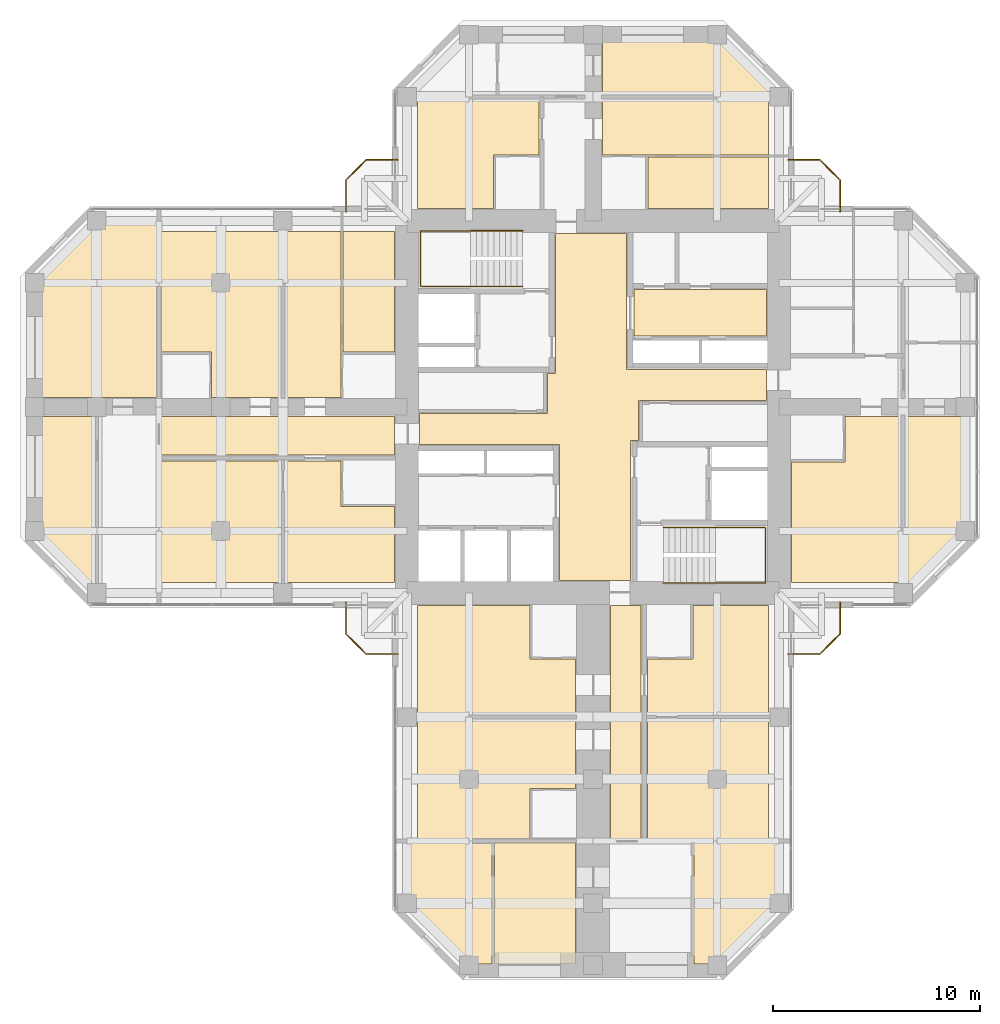
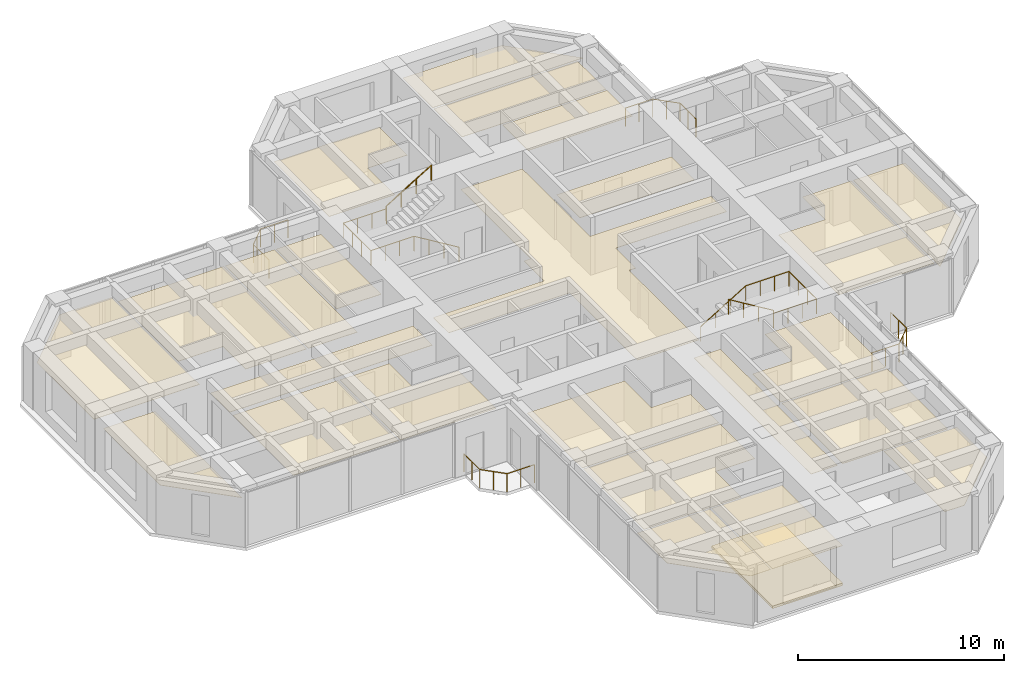
# One storey, part 14 of 14: 25 coverings, 8 railings.
"""IFC4 building model written with IfcOpenShell, lengths in metres."""

from ifc_helpers import new_model, si_unit, direction, frame, origin, origin_2d, place, context, subcontext, project, spatial, polyline, circle, outline, extrude, material, layer, layer_set, constituent, constituent_set, type_object, element, save


model = new_model("IFC4")

# Units and contexts
model_context = context("Model", 3, precision=1e-05, world=origin(), true_north=direction((0.0, 1.0)))
body_context = subcontext(model_context, "Body", "Model", "MODEL_VIEW")
ifc_project = project(units=[si_unit("LENGTHUNIT", "METRE"), si_unit("AREAUNIT", "SQUARE_METRE"), si_unit("VOLUMEUNIT", "CUBIC_METRE"), si_unit("PLANEANGLEUNIT", "RADIAN"), si_unit("MASSUNIT", "GRAM", prefix="KILO")], contexts=[model_context])

# Site, building, storey
site_placement = place(None, origin())
site = spatial("IfcSite", under=ifc_project, at=site_placement, CompositionType="ELEMENT")
building_placement = place(site_placement, origin())
building = spatial("IfcBuilding", under=site, at=building_placement, Name="Torre Cruceta", CompositionType="ELEMENT")
storey_placement = place(building_placement, frame((0.0, 0.0, 200.10009765625)))
storey = spatial("IfcBuildingStorey", under=building, at=storey_placement, Name="L50", CompositionType="ELEMENT", Elevation=200.10009765625)

# Railings
ifc_material_1 = material(Name="Stainless steel 1.4401", Category="steel")
ifc_constituent_1 = constituent(ifc_material_1, Name="Frame")
ifc_material_2 = material(Name="Laminated safety glass", Category="glass")
ifc_constituent_2 = constituent(ifc_material_2, Name="Infill")
ifc_constituent_set_1 = constituent_set(constituents=[ifc_constituent_1, ifc_constituent_2], Name="Stainless steel and laminated glass balustrade")
railing_type_1 = type_object("IfcRailingType", Name="BALCONY BALUSTRADE 1100", PredefinedType="BALUSTRADE", material=ifc_constituent_set_1)
railing_1_placement = place(storey_placement, frame((-9.449951171875, 11.949951171875, 0.0)))
element("IfcRailing", 1, at=railing_1_placement, inside=storey, type_object=railing_type_1, Name="BL1 balcony balustrade L50 N", PredefinedType="BALUSTRADE", context=body_context, shape_type="SweptSolid", body=[
    extrude(circle(Radius=0.02392578125, at=origin_2d()), frame((0.0, 0.0, 1.076171875), z_axis=(-1.0, 0.0, 0.0), x_axis=(0.0, -1.0, 0.0)), (0.0, 0.0, 1.0), 1.529296875),
    extrude(circle(Radius=0.02392578125, at=origin_2d()), frame((-1.529296875, 0.0, 1.076171875), z_axis=(-0.707106781187, -0.707106781187, 0.0), x_axis=(0.707106781187, -0.707106781187, 0.0)), (0.0, 0.0, 1.0), 1.372802734375),
    extrude(circle(Radius=0.02392578125, at=origin_2d()), frame((-2.5, -0.970703125, 1.076171875), z_axis=(0.0, -1.0, 0.0), x_axis=(1.0, 0.0, 0.0)), (0.0, 0.0, 1.0), 1.529296875),
    extrude(circle(Radius=0.02099609375, at=origin_2d()), origin(), (0.0, 0.0, 1.0), 1.052001953125),
    extrude(circle(Radius=0.02099609375, at=origin_2d()), frame((-0.7646484375, 0.0, 0.0)), (0.0, 0.0, 1.0), 1.052001953125),
    extrude(circle(Radius=0.02099609375, at=origin_2d()), frame((-1.529296875, 0.0, 0.0)), (0.0, 0.0, 1.0), 1.052001953125),
    extrude(circle(Radius=0.02099609375, at=origin_2d()), frame((-2.0146484375, -0.4853515625, 0.0)), (0.0, 0.0, 1.0), 1.052001953125),
    extrude(circle(Radius=0.02099609375, at=origin_2d()), frame((-2.5, -0.970703125, 0.0)), (0.0, 0.0, 1.0), 1.052001953125),
    extrude(circle(Radius=0.02099609375, at=origin_2d()), frame((-2.5, -1.7353515625, 0.0)), (0.0, 0.0, 1.0), 1.052001953125),
    extrude(circle(Radius=0.02099609375, at=origin_2d()), frame((-2.5, -2.5, 0.0)), (0.0, 0.0, 1.0), 1.052001953125),
])
railing_2_placement = place(storey_placement, frame((9.449951171875, 11.949951171875, 0.0)))
element("IfcRailing", 2, at=railing_2_placement, inside=storey, type_object=railing_type_1, Name="BL1 balcony balustrade L50 E", PredefinedType="BALUSTRADE", context=body_context, shape_type="SweptSolid", body=[
    extrude(circle(Radius=0.02392578125, at=origin_2d()), frame((0.0, 0.0, 1.076171875), z_axis=(1.0, 0.0, 0.0), x_axis=(0.0, 1.0, 0.0)), (0.0, 0.0, 1.0), 1.529296875),
    extrude(circle(Radius=0.02392578125, at=origin_2d()), frame((1.529296875, 0.0, 1.076171875), z_axis=(0.707106781187, -0.707106781187, 0.0), x_axis=(0.707106781187, 0.707106781187, 0.0)), (0.0, 0.0, 1.0), 1.372802734375),
    extrude(circle(Radius=0.02392578125, at=origin_2d()), frame((2.5, -0.970703125, 1.076171875), z_axis=(0.0, -1.0, 0.0), x_axis=(1.0, 0.0, 0.0)), (0.0, 0.0, 1.0), 1.529296875),
    extrude(circle(Radius=0.02099609375, at=origin_2d()), origin(), (0.0, 0.0, 1.0), 1.052001953125),
    extrude(circle(Radius=0.02099609375, at=origin_2d()), frame((0.7646484375, 0.0, 0.0)), (0.0, 0.0, 1.0), 1.052001953125),
    extrude(circle(Radius=0.02099609375, at=origin_2d()), frame((1.529296875, 0.0, 0.0)), (0.0, 0.0, 1.0), 1.052001953125),
    extrude(circle(Radius=0.02099609375, at=origin_2d()), frame((2.0146484375, -0.4853515625, 0.0)), (0.0, 0.0, 1.0), 1.052001953125),
    extrude(circle(Radius=0.02099609375, at=origin_2d()), frame((2.5, -0.970703125, 0.0)), (0.0, 0.0, 1.0), 1.052001953125),
    extrude(circle(Radius=0.02099609375, at=origin_2d()), frame((2.5, -1.7353515625, 0.0)), (0.0, 0.0, 1.0), 1.052001953125),
    extrude(circle(Radius=0.02099609375, at=origin_2d()), frame((2.5, -2.5, 0.0)), (0.0, 0.0, 1.0), 1.052001953125),
])
railing_3_placement = place(storey_placement, frame((9.449951171875, -11.949951171875, 0.0)))
element("IfcRailing", 3, at=railing_3_placement, inside=storey, type_object=railing_type_1, Name="BL1 balcony balustrade L50 S", PredefinedType="BALUSTRADE", context=body_context, shape_type="SweptSolid", body=[
    extrude(circle(Radius=0.02392578125, at=origin_2d()), frame((0.0, 0.0, 1.076171875), z_axis=(1.0, 0.0, 0.0), x_axis=(0.0, 1.0, 0.0)), (0.0, 0.0, 1.0), 1.529296875),
    extrude(circle(Radius=0.02392578125, at=origin_2d()), frame((1.529296875, 0.0, 1.076171875), z_axis=(0.707106781187, 0.707106781187, 0.0), x_axis=(-0.707106781187, 0.707106781187, 0.0)), (0.0, 0.0, 1.0), 1.372802734375),
    extrude(circle(Radius=0.02392578125, at=origin_2d()), frame((2.5, 0.970703125, 1.076171875), z_axis=(0.0, 1.0, 0.0), x_axis=(-1.0, 0.0, 0.0)), (0.0, 0.0, 1.0), 1.529296875),
    extrude(circle(Radius=0.02099609375, at=origin_2d()), origin(), (0.0, 0.0, 1.0), 1.052001953125),
    extrude(circle(Radius=0.02099609375, at=origin_2d()), frame((0.7646484375, 0.0, 0.0)), (0.0, 0.0, 1.0), 1.052001953125),
    extrude(circle(Radius=0.02099609375, at=origin_2d()), frame((1.529296875, 0.0, 0.0)), (0.0, 0.0, 1.0), 1.052001953125),
    extrude(circle(Radius=0.02099609375, at=origin_2d()), frame((2.0146484375, 0.4853515625, 0.0)), (0.0, 0.0, 1.0), 1.052001953125),
    extrude(circle(Radius=0.02099609375, at=origin_2d()), frame((2.5, 0.970703125, 0.0)), (0.0, 0.0, 1.0), 1.052001953125),
    extrude(circle(Radius=0.02099609375, at=origin_2d()), frame((2.5, 1.7353515625, 0.0)), (0.0, 0.0, 1.0), 1.052001953125),
    extrude(circle(Radius=0.02099609375, at=origin_2d()), frame((2.5, 2.5, 0.0)), (0.0, 0.0, 1.0), 1.052001953125),
])
railing_4_placement = place(storey_placement, frame((-9.449951171875, -11.949951171875, 0.0)))
element("IfcRailing", 4, at=railing_4_placement, inside=storey, type_object=railing_type_1, Name="BL1 balcony balustrade L50 W", PredefinedType="BALUSTRADE", context=body_context, shape_type="SweptSolid", body=[
    extrude(circle(Radius=0.02392578125, at=origin_2d()), frame((0.0, 0.0, 1.076171875), z_axis=(-1.0, 0.0, 0.0), x_axis=(0.0, -1.0, 0.0)), (0.0, 0.0, 1.0), 1.529296875),
    extrude(circle(Radius=0.02392578125, at=origin_2d()), frame((-1.529296875, 0.0, 1.076171875), z_axis=(-0.707106781187, 0.707106781187, 0.0), x_axis=(-0.707106781187, -0.707106781187, 0.0)), (0.0, 0.0, 1.0), 1.372802734375),
    extrude(circle(Radius=0.02392578125, at=origin_2d()), frame((-2.5, 0.970703125, 1.076171875), z_axis=(0.0, 1.0, 0.0), x_axis=(-1.0, 0.0, 0.0)), (0.0, 0.0, 1.0), 1.529296875),
    extrude(circle(Radius=0.02099609375, at=origin_2d()), origin(), (0.0, 0.0, 1.0), 1.052001953125),
    extrude(circle(Radius=0.02099609375, at=origin_2d()), frame((-0.7646484375, 0.0, 0.0)), (0.0, 0.0, 1.0), 1.052001953125),
    extrude(circle(Radius=0.02099609375, at=origin_2d()), frame((-1.529296875, 0.0, 0.0)), (0.0, 0.0, 1.0), 1.052001953125),
    extrude(circle(Radius=0.02099609375, at=origin_2d()), frame((-2.0146484375, 0.4853515625, 0.0)), (0.0, 0.0, 1.0), 1.052001953125),
    extrude(circle(Radius=0.02099609375, at=origin_2d()), frame((-2.5, 0.970703125, 0.0)), (0.0, 0.0, 1.0), 1.052001953125),
    extrude(circle(Radius=0.02099609375, at=origin_2d()), frame((-2.5, 1.7353515625, 0.0)), (0.0, 0.0, 1.0), 1.052001953125),
    extrude(circle(Radius=0.02099609375, at=origin_2d()), frame((-2.5, 2.5, 0.0)), (0.0, 0.0, 1.0), 1.052001953125),
])
ifc_material_3 = material(Name="Stainless steel 1.4401", Category="steel")
railing_type_2 = type_object("IfcRailingType", Name="HANDRAIL 900", PredefinedType="HANDRAIL", material=ifc_material_3)
railing_5_placement = place(storey_placement, frame((-3.39990234375, 5.8349609375, 0.169921875)))
element("IfcRailing", 5, at=railing_5_placement, inside=storey, type_object=railing_type_2, Name="Handrail HR1 ST1 L50", PredefinedType="HANDRAIL", context=body_context, shape_type="SweptSolid", body=[
    extrude(circle(Radius=0.02392578125, at=origin_2d()), frame((0.0, 0.0, 0.8759765625), z_axis=(-0.85478489116, 0.0, 0.518982456201), x_axis=(0.0, -1.0, 0.0)), (0.0, 0.0, 1.0), 2.9482421875),
    extrude(circle(Radius=0.02392578125, at=origin_2d()), frame((-2.52001953125, 0.0, 2.40576171875), z_axis=(-1.0, 0.0, 0.0), x_axis=(0.0, -1.0, 0.0)), (0.0, 0.0, 1.0), 2.420166015625),
    extrude(circle(Radius=0.02392578125, at=origin_2d()), frame((-4.940185546875, 0.0, 2.40576171875), z_axis=(0.0, 1.0, 0.0), x_axis=(-1.0, 0.0, 0.0)), (0.0, 0.0, 1.0), 2.679931640625),
    extrude(circle(Radius=0.02392578125, at=origin_2d()), frame((-4.940185546875, 2.679931640625, 2.40576171875), z_axis=(1.0, 0.0, 0.0), x_axis=(0.0, 1.0, 0.0)), (0.0, 0.0, 1.0), 2.420166015625),
    extrude(circle(Radius=0.02099609375, at=origin_2d()), origin(), (0.0, 0.0, 1.0), 0.851806640625),
    extrude(circle(Radius=0.02099609375, at=origin_2d()), frame((-0.840087890625, 0.0, 0.510009765625)), (0.0, 0.0, 1.0), 0.851806640625),
    extrude(circle(Radius=0.02099609375, at=origin_2d()), frame((-1.679931640625, 0.0, 1.02001953125)), (0.0, 0.0, 1.0), 0.851806640625),
    extrude(circle(Radius=0.02099609375, at=origin_2d()), frame((-2.52001953125, 0.0, 1.530029296875)), (0.0, 0.0, 1.0), 0.851806640625),
    extrude(circle(Radius=0.02099609375, at=origin_2d()), frame((-3.32666015625, 0.0, 1.530029296875)), (0.0, 0.0, 1.0), 0.851806640625),
    extrude(circle(Radius=0.02099609375, at=origin_2d()), frame((-4.133544921875, 0.0, 1.530029296875)), (0.0, 0.0, 1.0), 0.851806640625),
    extrude(circle(Radius=0.02099609375, at=origin_2d()), frame((-4.940185546875, 0.0, 1.530029296875)), (0.0, 0.0, 1.0), 0.851806640625),
    extrude(circle(Radius=0.02099609375, at=origin_2d()), frame((-4.940185546875, 0.893310546875, 1.530029296875)), (0.0, 0.0, 1.0), 0.851806640625),
    extrude(circle(Radius=0.02099609375, at=origin_2d()), frame((-4.940185546875, 1.78662109375, 1.530029296875)), (0.0, 0.0, 1.0), 0.851806640625),
    extrude(circle(Radius=0.02099609375, at=origin_2d()), frame((-4.940185546875, 2.679931640625, 1.530029296875)), (0.0, 0.0, 1.0), 0.851806640625),
    extrude(circle(Radius=0.02099609375, at=origin_2d()), frame((-4.133544921875, 2.679931640625, 1.530029296875)), (0.0, 0.0, 1.0), 0.851806640625),
    extrude(circle(Radius=0.02099609375, at=origin_2d()), frame((-3.32666015625, 2.679931640625, 1.530029296875)), (0.0, 0.0, 1.0), 0.851806640625),
    extrude(circle(Radius=0.02099609375, at=origin_2d()), frame((-2.52001953125, 2.679931640625, 1.530029296875)), (0.0, 0.0, 1.0), 0.851806640625),
])
railing_6_placement = place(storey_placement, frame((-5.919921875, 8.514892578125, 1.869873046875)))
element("IfcRailing", 6, at=railing_6_placement, inside=storey, type_object=railing_type_2, Name="Handrail HR1 ST1 L50", PredefinedType="HANDRAIL", context=body_context, shape_type="SweptSolid", body=[
    extrude(circle(Radius=0.02392578125, at=origin_2d()), frame((0.0, 0.0, 0.8759765625), z_axis=(0.85478489116, 0.0, 0.518982456201), x_axis=(0.0, 1.0, 0.0)), (0.0, 0.0, 1.0), 2.9482421875),
    extrude(circle(Radius=0.02099609375, at=origin_2d()), origin(), (0.0, 0.0, 1.0), 0.851806640625),
    extrude(circle(Radius=0.02099609375, at=origin_2d()), frame((0.840087890625, 0.0, 0.510009765625)), (0.0, 0.0, 1.0), 0.851806640625),
    extrude(circle(Radius=0.02099609375, at=origin_2d()), frame((1.679931640625, 0.0, 1.02001953125)), (0.0, 0.0, 1.0), 0.851806640625),
    extrude(circle(Radius=0.02099609375, at=origin_2d()), frame((2.52001953125, 0.0, 1.530029296875)), (0.0, 0.0, 1.0), 0.851806640625),
])
railing_7_placement = place(storey_placement, frame((3.39990234375, -5.8349609375, 0.169921875)))
element("IfcRailing", 7, at=railing_7_placement, inside=storey, type_object=railing_type_2, Name="Handrail HR1 ST2 L50", PredefinedType="HANDRAIL", context=body_context, shape_type="SweptSolid", body=[
    extrude(circle(Radius=0.02392578125, at=origin_2d()), frame((0.0, 0.0, 0.8759765625), z_axis=(0.85478489116, 0.0, 0.518982456201), x_axis=(0.0, 1.0, 0.0)), (0.0, 0.0, 1.0), 2.9482421875),
    extrude(circle(Radius=0.02392578125, at=origin_2d()), frame((2.52001953125, 0.0, 2.40576171875), z_axis=(1.0, 0.0, 0.0), x_axis=(0.0, 1.0, 0.0)), (0.0, 0.0, 1.0), 2.420166015625),
    extrude(circle(Radius=0.02392578125, at=origin_2d()), frame((4.940185546875, 0.0, 2.40576171875), z_axis=(0.0, -1.0, 0.0), x_axis=(1.0, 0.0, 0.0)), (0.0, 0.0, 1.0), 2.679931640625),
    extrude(circle(Radius=0.02392578125, at=origin_2d()), frame((4.940185546875, -2.679931640625, 2.40576171875), z_axis=(-1.0, 0.0, 0.0), x_axis=(0.0, -1.0, 0.0)), (0.0, 0.0, 1.0), 2.420166015625),
    extrude(circle(Radius=0.02099609375, at=origin_2d()), origin(), (0.0, 0.0, 1.0), 0.851806640625),
    extrude(circle(Radius=0.02099609375, at=origin_2d()), frame((0.840087890625, 0.0, 0.510009765625)), (0.0, 0.0, 1.0), 0.851806640625),
    extrude(circle(Radius=0.02099609375, at=origin_2d()), frame((1.679931640625, 0.0, 1.02001953125)), (0.0, 0.0, 1.0), 0.851806640625),
    extrude(circle(Radius=0.02099609375, at=origin_2d()), frame((2.52001953125, 0.0, 1.530029296875)), (0.0, 0.0, 1.0), 0.851806640625),
    extrude(circle(Radius=0.02099609375, at=origin_2d()), frame((3.32666015625, 0.0, 1.530029296875)), (0.0, 0.0, 1.0), 0.851806640625),
    extrude(circle(Radius=0.02099609375, at=origin_2d()), frame((4.133544921875, 0.0, 1.530029296875)), (0.0, 0.0, 1.0), 0.851806640625),
    extrude(circle(Radius=0.02099609375, at=origin_2d()), frame((4.940185546875, 0.0, 1.530029296875)), (0.0, 0.0, 1.0), 0.851806640625),
    extrude(circle(Radius=0.02099609375, at=origin_2d()), frame((4.940185546875, -0.893310546875, 1.530029296875)), (0.0, 0.0, 1.0), 0.851806640625),
    extrude(circle(Radius=0.02099609375, at=origin_2d()), frame((4.940185546875, -1.78662109375, 1.530029296875)), (0.0, 0.0, 1.0), 0.851806640625),
    extrude(circle(Radius=0.02099609375, at=origin_2d()), frame((4.940185546875, -2.679931640625, 1.530029296875)), (0.0, 0.0, 1.0), 0.851806640625),
    extrude(circle(Radius=0.02099609375, at=origin_2d()), frame((4.133544921875, -2.679931640625, 1.530029296875)), (0.0, 0.0, 1.0), 0.851806640625),
    extrude(circle(Radius=0.02099609375, at=origin_2d()), frame((3.32666015625, -2.679931640625, 1.530029296875)), (0.0, 0.0, 1.0), 0.851806640625),
    extrude(circle(Radius=0.02099609375, at=origin_2d()), frame((2.52001953125, -2.679931640625, 1.530029296875)), (0.0, 0.0, 1.0), 0.851806640625),
])
railing_8_placement = place(storey_placement, frame((5.919921875, -8.514892578125, 1.869873046875)))
element("IfcRailing", 8, at=railing_8_placement, inside=storey, type_object=railing_type_2, Name="Handrail HR1 ST2 L50", PredefinedType="HANDRAIL", context=body_context, shape_type="SweptSolid", body=[
    extrude(circle(Radius=0.02392578125, at=origin_2d()), frame((0.0, 0.0, 0.8759765625), z_axis=(-0.85478489116, 0.0, 0.518982456201), x_axis=(0.0, -1.0, 0.0)), (0.0, 0.0, 1.0), 2.9482421875),
    extrude(circle(Radius=0.02099609375, at=origin_2d()), origin(), (0.0, 0.0, 1.0), 0.851806640625),
    extrude(circle(Radius=0.02099609375, at=origin_2d()), frame((-0.840087890625, 0.0, 0.510009765625)), (0.0, 0.0, 1.0), 0.851806640625),
    extrude(circle(Radius=0.02099609375, at=origin_2d()), frame((-1.679931640625, 0.0, 1.02001953125)), (0.0, 0.0, 1.0), 0.851806640625),
    extrude(circle(Radius=0.02099609375, at=origin_2d()), frame((-2.52001953125, 0.0, 1.530029296875)), (0.0, 0.0, 1.0), 0.851806640625),
])

# Coverings
ifc_material_4 = material(Name="Steel DX51D", Category="steel")
ifc_constituent_3 = constituent(ifc_material_4, Name="Panel casing")
ifc_material_5 = material(Name="Calcium sulphate", Category="gypsum")
ifc_constituent_4 = constituent(ifc_material_5, Name="Panel core")
ifc_constituent_set_2 = constituent_set(constituents=[ifc_constituent_3, ifc_constituent_4], Name="Raised access floor panel")
covering_type_1 = type_object("IfcCoveringType", Name="RAISED ACCESS FLOOR 150", PredefinedType="FLOORING", material=ifc_constituent_set_2)
covering_1_placement = place(storey_placement, origin())
element("IfcCovering", 9, at=covering_1_placement, inside=storey, type_object=covering_type_1, Name="Raised floor L50-051", PredefinedType="FLOORING", context=body_context, shape_type="SweptSolid", body=[
    extrude(outline(polyline([(-4.77490234375, -26.949951171875), (-4.77490234375, -21.050048828125), (-0.85009765625, -21.050048828125), (-0.85009765625, -26.949951171875), (-4.77490234375, -26.949951171875)])), origin(), (0.0, 0.0, 1.0), 0.14990234375),
])
ifc_material_6 = material(Name="Mineral fibre ceiling tile", Category="gypsum")
ifc_layer = layer(ifc_material_6, 0.02001953125)
ifc_layer_set = layer_set([ifc_layer], Name="Mineral fibre ceiling tile")
covering_type_2 = type_object("IfcCoveringType", Name="SUSPENDED CEILING 20", PredefinedType="CEILING", material=ifc_layer_set)
covering_2_placement = place(storey_placement, frame((0.0, 0.0, 2.349853515625)))
element("IfcCovering", 10, at=covering_2_placement, inside=storey, type_object=covering_type_2, Name="Ceiling L50-003", PredefinedType="CEILING", context=body_context, shape_type="SweptSolid", body=[
    extrude(outline(polyline([(1.824951171875, -8.39990234375), (-1.625, -8.39990234375), (-1.625, -1.824951171875), (-8.39990234375, -1.824951171875), (-8.39990234375, -0.324951171875), (-2.199951171875, -0.324951171875), (-2.199951171875, 1.625), (-1.824951171875, 1.625), (-1.824951171875, 8.39990234375), (1.625, 8.39990234375), (1.625, 1.824951171875), (8.39990234375, 1.824951171875), (8.39990234375, 0.324951171875), (2.199951171875, 0.324951171875), (2.199951171875, -1.625), (1.824951171875, -1.625), (1.824951171875, -8.39990234375)])), origin(), (0.0, 0.0, 1.0), 0.02001953125),
])
covering_3_placement = place(storey_placement, frame((0.0, 0.0, 2.349853515625)))
element("IfcCovering", 11, at=covering_3_placement, inside=storey, type_object=covering_type_2, Name="Ceiling L50-006", PredefinedType="CEILING", context=body_context, shape_type="SweptSolid", body=[
    extrude(outline(polyline([(1.97509765625, 3.425048828125), (1.97509765625, 5.675048828125), (8.39990234375, 5.675048828125), (8.39990234375, 3.425048828125), (1.97509765625, 3.425048828125)])), origin(), (0.0, 0.0, 1.0), 0.02001953125),
])
covering_4_placement = place(storey_placement, frame((0.0, 0.0, 2.349853515625)))
element("IfcCovering", 12, at=covering_4_placement, inside=storey, type_object=covering_type_2, Name="Ceiling L50-024", PredefinedType="CEILING", context=body_context, shape_type="SweptSolid", body=[
    extrude(outline(polyline([(-8.5, 9.60009765625), (-8.5, 14.949951171875), (-2.625, 14.949951171875), (-2.625, 12.199951171875), (-4.824951171875, 12.199951171875), (-4.824951171875, 9.60009765625), (-8.5, 9.60009765625)])), origin(), (0.0, 0.0, 1.0), 0.02001953125),
])
covering_5_placement = place(storey_placement, frame((0.0, 0.0, 2.349853515625)))
element("IfcCovering", 13, at=covering_5_placement, inside=storey, type_object=covering_type_2, Name="Ceiling L50-026", PredefinedType="CEILING", context=body_context, shape_type="SweptSolid", body=[
    extrude(outline(polyline([(8.5, 14.949951171875), (8.5, 12.199951171875), (0.449951171875, 12.199951171875), (0.449951171875, 14.949951171875), (8.5, 14.949951171875)])), origin(), (0.0, 0.0, 1.0), 0.02001953125),
])
covering_6_placement = place(storey_placement, frame((0.0, 0.0, 2.349853515625)))
element("IfcCovering", 14, at=covering_6_placement, inside=storey, type_object=covering_type_2, Name="Ceiling L50-027", PredefinedType="CEILING", context=body_context, shape_type="SweptSolid", body=[
    extrude(outline(polyline([(8.5, 9.60009765625), (2.64990234375, 9.60009765625), (2.64990234375, 12.10009765625), (8.5, 12.10009765625), (8.5, 9.60009765625)])), origin(), (0.0, 0.0, 1.0), 0.02001953125),
])
covering_7_placement = place(storey_placement, frame((0.0, 0.0, 2.349853515625)))
element("IfcCovering", 15, at=covering_7_placement, inside=storey, type_object=covering_type_2, Name="Ceiling L50-031", PredefinedType="CEILING", context=body_context, shape_type="SweptSolid", body=[
    extrude(outline(polyline([(8.87939453125, 15.050048828125), (0.449951171875, 15.050048828125), (0.449951171875, 17.949951171875), (5.979248046875, 17.949951171875), (8.87939453125, 15.050048828125)])), origin(), (0.0, 0.0, 1.0), 0.02001953125),
])
covering_8_placement = place(storey_placement, frame((0.0, 0.0, 2.349853515625)))
element("IfcCovering", 16, at=covering_8_placement, inside=storey, type_object=covering_type_2, Name="Ceiling L50-036", PredefinedType="CEILING", context=body_context, shape_type="SweptSolid", body=[
    extrude(outline(polyline([(14.949951171875, -0.449951171875), (14.949951171875, -8.5), (9.60009765625, -8.5), (9.60009765625, -2.64990234375), (12.199951171875, -2.64990234375), (12.199951171875, -0.449951171875), (14.949951171875, -0.449951171875)])), origin(), (0.0, 0.0, 1.0), 0.02001953125),
])
covering_9_placement = place(storey_placement, frame((0.0, 0.0, 2.349853515625)))
element("IfcCovering", 17, at=covering_9_placement, inside=storey, type_object=covering_type_2, Name="Ceiling L50-040", PredefinedType="CEILING", context=body_context, shape_type="SweptSolid", body=[
    extrude(outline(polyline([(15.050048828125, -8.87939453125), (15.050048828125, -0.449951171875), (17.949951171875, -0.449951171875), (17.949951171875, -5.979248046875), (15.050048828125, -8.87939453125)])), origin(), (0.0, 0.0, 1.0), 0.02001953125),
])
covering_10_placement = place(storey_placement, frame((0.0, 0.0, 2.349853515625)))
element("IfcCovering", 18, at=covering_10_placement, inside=storey, type_object=covering_type_2, Name="Ceiling L50-041", PredefinedType="CEILING", context=body_context, shape_type="SweptSolid", body=[
    extrude(outline(polyline([(0.85009765625, -9.60009765625), (2.324951171875, -9.60009765625), (2.324951171875, -20.949951171875), (0.85009765625, -20.949951171875), (0.85009765625, -9.60009765625)])), origin(), (0.0, 0.0, 1.0), 0.02001953125),
])
covering_11_placement = place(storey_placement, frame((0.0, 0.0, 2.349853515625)))
element("IfcCovering", 19, at=covering_11_placement, inside=storey, type_object=covering_type_2, Name="Ceiling L50-042", PredefinedType="CEILING", context=body_context, shape_type="SweptSolid", body=[
    extrude(outline(polyline([(8.5, -9.60009765625), (8.5, -14.949951171875), (2.625, -14.949951171875), (2.625, -12.199951171875), (4.824951171875, -12.199951171875), (4.824951171875, -9.60009765625), (8.5, -9.60009765625)])), origin(), (0.0, 0.0, 1.0), 0.02001953125),
])
covering_12_placement = place(storey_placement, frame((0.0, 0.0, 2.349853515625)))
element("IfcCovering", 20, at=covering_12_placement, inside=storey, type_object=covering_type_2, Name="Ceiling L50-044", PredefinedType="CEILING", context=body_context, shape_type="SweptSolid", body=[
    extrude(outline(polyline([(2.625, -15.050048828125), (8.5, -15.050048828125), (8.5, -20.949951171875), (2.625, -20.949951171875), (2.625, -15.050048828125)])), origin(), (0.0, 0.0, 1.0), 0.02001953125),
])
covering_13_placement = place(storey_placement, frame((0.0, 0.0, 2.349853515625)))
element("IfcCovering", 21, at=covering_13_placement, inside=storey, type_object=covering_type_2, Name="Ceiling L50-045", PredefinedType="CEILING", context=body_context, shape_type="SweptSolid", body=[
    extrude(outline(polyline([(-0.85009765625, -14.949951171875), (-8.5, -14.949951171875), (-8.5, -9.60009765625), (-3.050048828125, -9.60009765625), (-3.050048828125, -12.199951171875), (-0.85009765625, -12.199951171875), (-0.85009765625, -14.949951171875)])), origin(), (0.0, 0.0, 1.0), 0.02001953125),
])
covering_14_placement = place(storey_placement, frame((0.0, 0.0, 2.349853515625)))
element("IfcCovering", 22, at=covering_14_placement, inside=storey, type_object=covering_type_2, Name="Ceiling L50-047", PredefinedType="CEILING", context=body_context, shape_type="SweptSolid", body=[
    extrude(outline(polyline([(-8.5, -20.949951171875), (-8.5, -15.050048828125), (-0.85009765625, -15.050048828125), (-0.85009765625, -18.449951171875), (-3.050048828125, -18.449951171875), (-3.050048828125, -20.949951171875), (-8.5, -20.949951171875)])), origin(), (0.0, 0.0, 1.0), 0.02001953125),
])
covering_15_placement = place(storey_placement, frame((0.0, 0.0, 2.349853515625)))
element("IfcCovering", 23, at=covering_15_placement, inside=storey, type_object=covering_type_2, Name="Ceiling L50-050", PredefinedType="CEILING", context=body_context, shape_type="SweptSolid", body=[
    extrude(outline(polyline([(8.949951171875, -23.979248046875), (5.979248046875, -26.949951171875), (4.875, -26.949951171875), (4.875, -21.050048828125), (8.949951171875, -21.050048828125), (8.949951171875, -23.979248046875)])), origin(), (0.0, 0.0, 1.0), 0.02001953125),
])
covering_16_placement = place(storey_placement, frame((0.0, 0.0, 2.349853515625)))
element("IfcCovering", 24, at=covering_16_placement, inside=storey, type_object=covering_type_2, Name="Ceiling L50-051", PredefinedType="CEILING", context=body_context, shape_type="SweptSolid", body=[
    extrude(outline(polyline([(-4.77490234375, -26.949951171875), (-4.77490234375, -21.050048828125), (-0.85009765625, -21.050048828125), (-0.85009765625, -26.949951171875), (-4.77490234375, -26.949951171875)])), origin(), (0.0, 0.0, 1.0), 0.02001953125),
])
covering_17_placement = place(storey_placement, frame((0.0, 0.0, 2.349853515625)))
element("IfcCovering", 25, at=covering_17_placement, inside=storey, type_object=covering_type_2, Name="Ceiling L50-052", PredefinedType="CEILING", context=body_context, shape_type="SweptSolid", body=[
    extrude(outline(polyline([(-8.949951171875, -23.979248046875), (-8.949951171875, -21.050048828125), (-4.875, -21.050048828125), (-4.875, -26.949951171875), (-5.979248046875, -26.949951171875), (-8.949951171875, -23.979248046875)])), origin(), (0.0, 0.0, 1.0), 0.02001953125),
])
covering_18_placement = place(storey_placement, frame((0.0, 0.0, 2.349853515625)))
element("IfcCovering", 26, at=covering_18_placement, inside=storey, type_object=covering_type_2, Name="Ceiling L50-053", PredefinedType="CEILING", context=body_context, shape_type="SweptSolid", body=[
    extrude(outline(polyline([(-9.60009765625, -0.449951171875), (-9.60009765625, -2.324951171875), (-20.949951171875, -2.324951171875), (-20.949951171875, -0.449951171875), (-9.60009765625, -0.449951171875)])), origin(), (0.0, 0.0, 1.0), 0.02001953125),
])
covering_19_placement = place(storey_placement, frame((0.0, 0.0, 2.349853515625)))
element("IfcCovering", 27, at=covering_19_placement, inside=storey, type_object=covering_type_2, Name="Ceiling L50-054", PredefinedType="CEILING", context=body_context, shape_type="SweptSolid", body=[
    extrude(outline(polyline([(-9.60009765625, -8.5), (-14.949951171875, -8.5), (-14.949951171875, -2.625), (-12.199951171875, -2.625), (-12.199951171875, -4.824951171875), (-9.60009765625, -4.824951171875), (-9.60009765625, -8.5)])), origin(), (0.0, 0.0, 1.0), 0.02001953125),
])
covering_20_placement = place(storey_placement, frame((0.0, 0.0, 2.349853515625)))
element("IfcCovering", 28, at=covering_20_placement, inside=storey, type_object=covering_type_2, Name="Ceiling L50-056", PredefinedType="CEILING", context=body_context, shape_type="SweptSolid", body=[
    extrude(outline(polyline([(-15.050048828125, -2.625), (-15.050048828125, -8.5), (-20.949951171875, -8.5), (-20.949951171875, -2.625), (-15.050048828125, -2.625)])), origin(), (0.0, 0.0, 1.0), 0.02001953125),
])
covering_21_placement = place(storey_placement, frame((0.0, 0.0, 2.349853515625)))
element("IfcCovering", 29, at=covering_21_placement, inside=storey, type_object=covering_type_2, Name="Ceiling L50-057", PredefinedType="CEILING", context=body_context, shape_type="SweptSolid", body=[
    extrude(outline(polyline([(-14.949951171875, 8.5), (-12.199951171875, 8.5), (-12.199951171875, 0.449951171875), (-14.949951171875, 0.449951171875), (-14.949951171875, 8.5)])), origin(), (0.0, 0.0, 1.0), 0.02001953125),
])
covering_22_placement = place(storey_placement, frame((0.0, 0.0, 2.349853515625)))
element("IfcCovering", 30, at=covering_22_placement, inside=storey, type_object=covering_type_2, Name="Ceiling L50-058", PredefinedType="CEILING", context=body_context, shape_type="SweptSolid", body=[
    extrude(outline(polyline([(-9.60009765625, 8.5), (-9.60009765625, 2.64990234375), (-12.10009765625, 2.64990234375), (-12.10009765625, 8.5), (-9.60009765625, 8.5)])), origin(), (0.0, 0.0, 1.0), 0.02001953125),
])
covering_23_placement = place(storey_placement, frame((0.0, 0.0, 2.349853515625)))
element("IfcCovering", 31, at=covering_23_placement, inside=storey, type_object=covering_type_2, Name="Ceiling L50-060", PredefinedType="CEILING", context=body_context, shape_type="SweptSolid", body=[
    extrude(outline(polyline([(-20.949951171875, 8.5), (-15.050048828125, 8.5), (-15.050048828125, 0.449951171875), (-18.449951171875, 0.449951171875), (-18.449951171875, 2.64990234375), (-20.949951171875, 2.64990234375), (-20.949951171875, 8.5)])), origin(), (0.0, 0.0, 1.0), 0.02001953125),
])
covering_24_placement = place(storey_placement, frame((0.0, 0.0, 2.349853515625)))
element("IfcCovering", 32, at=covering_24_placement, inside=storey, type_object=covering_type_2, Name="Ceiling L50-063", PredefinedType="CEILING", context=body_context, shape_type="SweptSolid", body=[
    extrude(outline(polyline([(-26.949951171875, -0.449951171875), (-24.050048828125, -0.449951171875), (-24.050048828125, -8.87939453125), (-26.949951171875, -5.979248046875), (-26.949951171875, -0.449951171875)])), origin(), (0.0, 0.0, 1.0), 0.02001953125),
])
covering_25_placement = place(storey_placement, frame((0.0, 0.0, 2.349853515625)))
element("IfcCovering", 33, at=covering_25_placement, inside=storey, type_object=covering_type_2, Name="Ceiling L50-064", PredefinedType="CEILING", context=body_context, shape_type="SweptSolid", body=[
    extrude(outline(polyline([(-23.979248046875, 8.949951171875), (-21.050048828125, 8.949951171875), (-21.050048828125, 0.449951171875), (-26.949951171875, 0.449951171875), (-26.949951171875, 5.979248046875), (-23.979248046875, 8.949951171875)])), origin(), (0.0, 0.0, 1.0), 0.02001953125),
])

save(model, "model.ifc")
